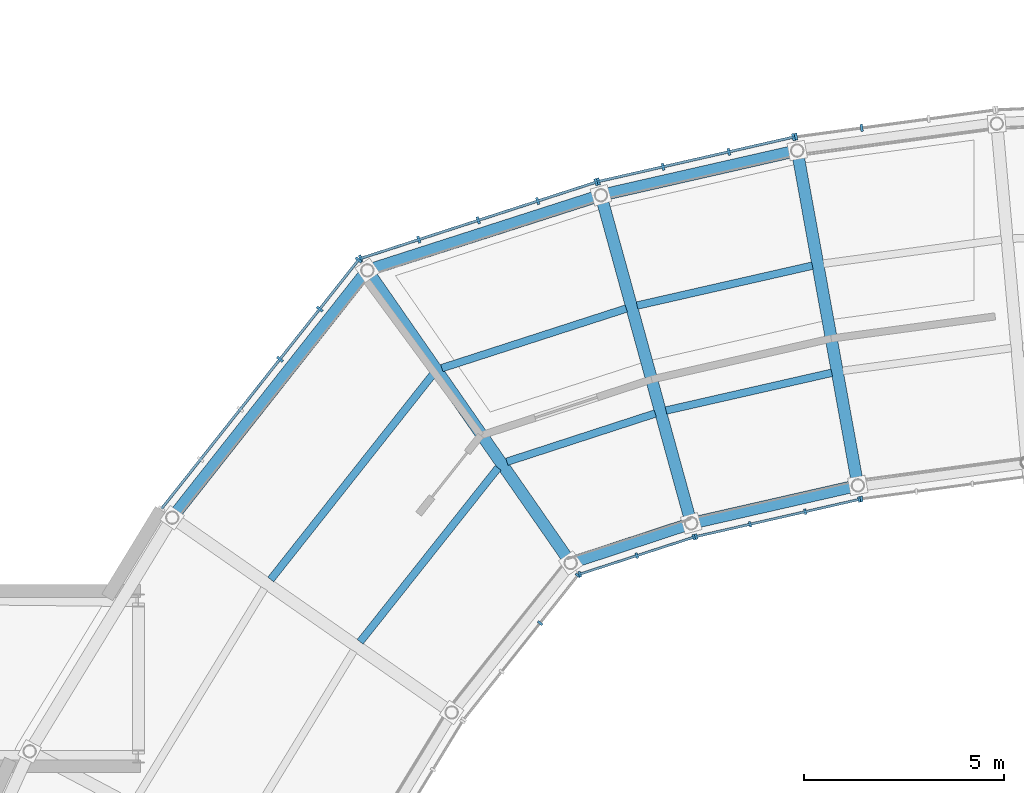
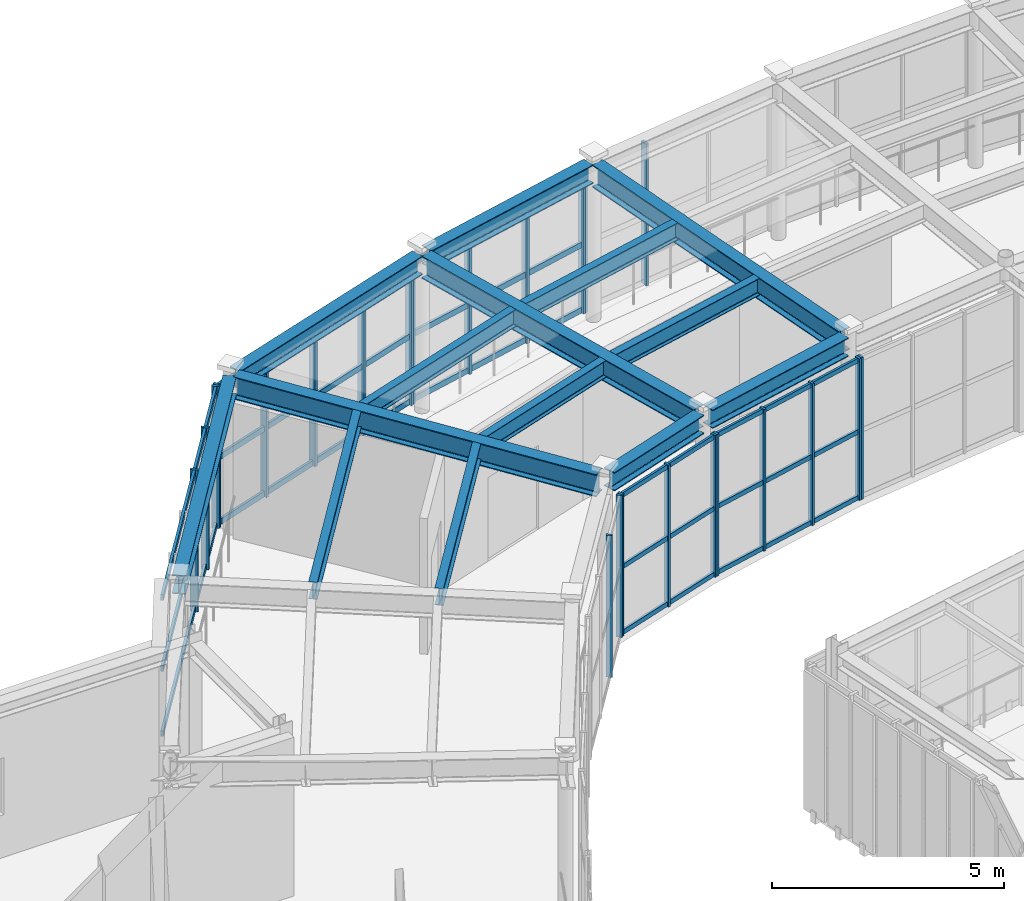
# One storey, part 43 of 103: 39 members, 14 beams, 8 elements without a shape of their own.
"""IFC4 building model written with IfcOpenShell, lengths in metres."""

from ifc_helpers import new_model, si_unit, direction, frame, origin, origin_2d, place, context, subcontext, project, spatial, rectangle, i_section, extrude, material, material_profile, profile_set, type_object, element, aggregate, save


model = new_model("IFC4")

# Units and contexts
model_context = context("Model", 3, precision=1e-05, world=origin(), true_north=direction((0.0, 1.0)))
body_context = subcontext(model_context, "Body", "Model", "MODEL_VIEW")
ifc_project = project(units=[si_unit("LENGTHUNIT", "METRE"), si_unit("AREAUNIT", "SQUARE_METRE"), si_unit("VOLUMEUNIT", "CUBIC_METRE"), si_unit("PLANEANGLEUNIT", "RADIAN"), si_unit("MASSUNIT", "GRAM", prefix="KILO")], contexts=[model_context])

# Site, building, storey
site_placement = place(None, origin())
site = spatial("IfcSite", under=ifc_project, at=site_placement, CompositionType="ELEMENT")
building_placement = place(site_placement, origin())
building = spatial("IfcBuilding", under=site, at=building_placement, Name="Varnklinge Art Gallery", CompositionType="ELEMENT")
storey_placement = place(building_placement, frame((0.0, 0.0, 5.10009765625)))
storey = spatial("IfcBuildingStorey", under=building, at=storey_placement, Name="L01", CompositionType="ELEMENT", Elevation=5.10009765625)

# Beams
ifc_material_1 = material(Name="Steel S355", Category="steel")
ifc_material_profile_1 = material_profile(ifc_material_1, i_section(OverallWidth=0.300048828125, OverallDepth=0.590087890625, WebThickness=0.012939453125, FlangeThickness=0.02490234375, FilletRadius=0.027099609375, at=origin_2d()), Name="HEA 600")
ifc_profile_set_1 = profile_set([ifc_material_profile_1], Name="Steel S355")
beam_type_1 = type_object("IfcBeamType", Name="BM-06", PredefinedType="BEAM", material=ifc_profile_set_1)
for number, where, z_axis, x_axis, name in (
    (1, (65.504638671875, 96.21728515625, 3.885009765625), (0.178151776958, -0.984003020507, 0.0), (0.984003020507, 0.178151776958, 0.0), "L01 BM-06 BM-V2-L02-R19"),
    (2, (60.607421875, 95.102294921875, 3.885009765625), (0.26537851046, -0.96414430776, 0.0), (0.96414430776, 0.26537851046, 0.0), "L01 BM-06 BM-V2-L02-R20"),
):
    element("IfcBeam", number, at=place(storey_placement, frame(where, z_axis=z_axis, x_axis=x_axis)), inside=storey, type_object=beam_type_1, Name=name, PredefinedType="BEAM", context=body_context, shape_type="SweptSolid", body=[
        extrude(i_section(OverallWidth=0.300048828125, OverallDepth=0.590087890625, WebThickness=0.012939453125, FlangeThickness=0.02490234375, FilletRadius=0.027099609375, at=origin_2d()), origin(), (0.0, 0.0, 1.0), 8.229248046875),
    ])
beam_1_placement = place(storey_placement, frame((54.80908203125, 93.244873046875, 3.885009765625), z_axis=(0.570588727281, -0.821235961402, 0.0), x_axis=(0.821235961402, 0.570588727281, 0.0)))
element("IfcBeam", 3, at=beam_1_placement, inside=storey, type_object=beam_type_1, Name="L01 BM-06 BM-V2-L02-R21", PredefinedType="BEAM", context=body_context, shape_type="SweptSolid", body=[
    extrude(i_section(OverallWidth=0.300048828125, OverallDepth=0.590087890625, WebThickness=0.012939453125, FlangeThickness=0.02490234375, FilletRadius=0.027099609375, at=origin_2d()), origin(), (0.0, 0.0, 1.0), 8.6318359375),
])
ifc_material_2 = material(Name="Steel S355", Category="steel")
ifc_material_profile_2 = material_profile(ifc_material_2, i_section(OverallWidth=0.18994140625, OverallDepth=0.449951171875, WebThickness=0.009521484375, FlangeThickness=0.0146484375, FilletRadius=0.02099609375, at=origin_2d()), Name="IPE 450")
ifc_profile_set_2 = profile_set([ifc_material_profile_2], Name="Steel S355")
beam_type_2 = type_object("IfcBeamType", Name="JST-04", PredefinedType="JOIST", material=ifc_profile_set_2)
beam_2_placement = place(storey_placement, frame((65.858642578125, 93.47705078125, 3.954833984375), z_axis=(-0.975052249235, -0.22197547446, 0.0), x_axis=(0.22197547446, -0.975052249235, 0.0)))
element("IfcBeam", 4, at=beam_2_placement, inside=storey, type_object=beam_type_2, Name="L01 JST-04 JST-V2-L02-19-1", PredefinedType="JOIST", context=body_context, shape_type="SweptSolid", body=[
    extrude(i_section(OverallWidth=0.18994140625, OverallDepth=0.449951171875, WebThickness=0.009521484375, FlangeThickness=0.0146484375, FilletRadius=0.02099609375, at=origin_2d()), origin(), (0.0, 0.0, 1.0), 4.49609375),
])
beam_3_placement = place(storey_placement, frame((66.34375, 90.797607421875, 3.954833984375), z_axis=(-0.975058358995, -0.221948634943, 0.0), x_axis=(0.221948634943, -0.975058358995, 0.0)))
element("IfcBeam", 5, at=beam_3_placement, inside=storey, type_object=beam_type_2, Name="L01 JST-04 JST-V2-L02-19-2", PredefinedType="JOIST", context=body_context, shape_type="SweptSolid", body=[
    extrude(i_section(OverallWidth=0.18994140625, OverallDepth=0.449951171875, WebThickness=0.009521484375, FlangeThickness=0.0146484375, FilletRadius=0.02099609375, at=origin_2d()), origin(), (0.0, 0.0, 1.0), 4.25244140625),
])
beam_4_placement = place(storey_placement, frame((61.204833984375, 92.40478515625, 3.954833984375), z_axis=(-0.951573262441, -0.307422065259, 0.0), x_axis=(0.307422065259, -0.951573262441, 0.0)))
element("IfcBeam", 6, at=beam_4_placement, inside=storey, type_object=beam_type_2, Name="L01 JST-04 JST-V2-L02-20-1", PredefinedType="JOIST", context=body_context, shape_type="SweptSolid", body=[
    extrude(i_section(OverallWidth=0.18994140625, OverallDepth=0.449951171875, WebThickness=0.009521484375, FlangeThickness=0.0146484375, FilletRadius=0.02099609375, at=origin_2d()), origin(), (0.0, 0.0, 1.0), 4.848388671875),
])
beam_5_placement = place(storey_placement, frame((61.927490234375, 89.779296875, 3.954833984375), z_axis=(-0.950949393045, -0.309346491603, 0.0), x_axis=(0.309346491603, -0.950949393045, 0.0)))
element("IfcBeam", 7, at=beam_5_placement, inside=storey, type_object=beam_type_2, Name="L01 JST-04 JST-V2-L02-20-2", PredefinedType="JOIST", context=body_context, shape_type="SweptSolid", body=[
    extrude(i_section(OverallWidth=0.18994140625, OverallDepth=0.449951171875, WebThickness=0.009521484375, FlangeThickness=0.0146484375, FilletRadius=0.02099609375, at=origin_2d()), origin(), (0.0, 0.0, 1.0), 3.900390625),
])
beam_6_placement = place(storey_placement, frame((56.37109375, 90.76171875, 3.954833984375), z_axis=(-0.620207823033, -0.784437541331, 0.0), x_axis=(0.784437541331, -0.620207823033, 0.0)))
element("IfcBeam", 8, at=beam_6_placement, inside=storey, type_object=beam_type_2, Name="L01 JST-04 JST-V2-L02-21-1", PredefinedType="JOIST", context=body_context, shape_type="SweptSolid", body=[
    extrude(i_section(OverallWidth=0.18994140625, OverallDepth=0.449951171875, WebThickness=0.009521484375, FlangeThickness=0.0146484375, FilletRadius=0.02099609375, at=origin_2d()), origin(), (0.0, 0.0, 1.0), 6.5439453125),
])
beam_7_placement = place(storey_placement, frame((57.998291015625, 88.419677734375, 3.954833984375), z_axis=(-0.621380748712, -0.783508752427, 0.0), x_axis=(0.783508752427, -0.621380748712, 0.0)))
element("IfcBeam", 9, at=beam_7_placement, inside=storey, type_object=beam_type_2, Name="L01 JST-04 JST-V2-L02-21-2", PredefinedType="JOIST", context=body_context, shape_type="SweptSolid", body=[
    extrude(i_section(OverallWidth=0.18994140625, OverallDepth=0.449951171875, WebThickness=0.009521484375, FlangeThickness=0.0146484375, FilletRadius=0.02099609375, at=origin_2d()), origin(), (0.0, 0.0, 1.0), 5.552001953125),
])

# Curtain wall, members
ifc_material_3 = material(Name="Anodised Aluminium", Category="aluminium")
curtain_wall_type_1 = type_object("IfcCurtainWallType", Name="CW-R04", PredefinedType="USERDEFINED", material=ifc_material_3)
curtain_wall_1_placement = place(storey_placement, origin())
curtain_wall_1 = element("IfcCurtainWall", 10, at=curtain_wall_1_placement, inside=storey, type_object=curtain_wall_type_1, Name="L01 Curtain Wall CW-V2O-L01-18", ObjectType="UNITISED CURTAIN WALL", PredefinedType="USERDEFINED")
ifc_material_4 = material(Name="Anodised Aluminium", Category="aluminium")
ifc_material_profile_3 = material_profile(ifc_material_4, rectangle(XDim=0.06494140625, YDim=0.179931640625, at=origin_2d()), Name="ALU 65x180")
ifc_profile_set_3 = profile_set([ifc_material_profile_3], Name="Anodised Aluminium")
member_type_1 = type_object("IfcMemberType", Name="MUL-01", PredefinedType="MULLION", material=ifc_profile_set_3)
member_1_placement = place(storey_placement, frame((67.091064453125, 96.925537109375, 0.0), z_axis=(0.0, 0.0, 1.0), x_axis=(-0.990983199715, -0.133986185418, 0.0)))
member_1 = element("IfcMember", 11, at=member_1_placement, type_object=member_type_1, Name="CW-V2O-L01-18 Mullion 3", PredefinedType="MULLION", context=body_context, shape_type="SweptSolid", body=[
    extrude(rectangle(XDim=0.06494140625, YDim=0.179931640625, at=origin_2d()), origin(), (0.0, 0.0, 1.0), 3.72998046875),
])
member_2_placement = place(storey_placement, frame((65.44970703125, 96.703857421875, 0.0), z_axis=(0.0, 0.0, 1.0), x_axis=(-0.990983199715, -0.133986185418, 0.0)))
member_2 = element("IfcMember", 12, at=member_2_placement, type_object=member_type_1, Name="CW-V2O-L01-18 Mullion 4", PredefinedType="MULLION", context=body_context, shape_type="SweptSolid", body=[
    extrude(rectangle(XDim=0.06494140625, YDim=0.179931640625, at=origin_2d()), origin(), (0.0, 0.0, 1.0), 3.72998046875),
])
aggregate(curtain_wall_1, [member_1, member_2])

curtain_wall_2_placement = place(storey_placement, origin())
curtain_wall_2 = element("IfcCurtainWall", 13, at=curtain_wall_2_placement, inside=storey, type_object=curtain_wall_type_1, Name="L01 Curtain Wall CW-V2O-L01-19", ObjectType="UNITISED CURTAIN WALL", PredefinedType="USERDEFINED")
member_3_placement = place(storey_placement, frame((65.3857421875, 96.692138671875, 0.0), z_axis=(0.0, 0.0, 1.0), x_axis=(-0.975071959883, -0.221888875454, 0.0)))
member_3 = element("IfcMember", 14, at=member_3_placement, type_object=member_type_1, Name="CW-V2O-L01-19 Mullion 1", PredefinedType="MULLION", context=body_context, shape_type="SweptSolid", body=[
    extrude(rectangle(XDim=0.06494140625, YDim=0.179931640625, at=origin_2d()), origin(), (0.0, 0.0, 1.0), 3.72998046875),
])
member_4_placement = place(storey_placement, frame((63.770751953125, 96.324462890625, 0.0), z_axis=(0.0, 0.0, 1.0), x_axis=(-0.975071959883, -0.221888875454, 0.0)))
member_4 = element("IfcMember", 15, at=member_4_placement, type_object=member_type_1, Name="CW-V2O-L01-19 Mullion 2", PredefinedType="MULLION", context=body_context, shape_type="SweptSolid", body=[
    extrude(rectangle(XDim=0.06494140625, YDim=0.179931640625, at=origin_2d()), origin(), (0.0, 0.0, 1.0), 3.72998046875),
])
member_5_placement = place(storey_placement, frame((62.1240234375, 95.94970703125, 0.0), z_axis=(0.0, 0.0, 1.0), x_axis=(-0.975071959883, -0.221888875454, 0.0)))
member_5 = element("IfcMember", 16, at=member_5_placement, type_object=member_type_1, Name="CW-V2O-L01-19 Mullion 3", PredefinedType="MULLION", context=body_context, shape_type="SweptSolid", body=[
    extrude(rectangle(XDim=0.06494140625, YDim=0.179931640625, at=origin_2d()), origin(), (0.0, 0.0, 1.0), 3.72998046875),
])
member_6_placement = place(storey_placement, frame((60.509033203125, 95.58203125, 0.0), z_axis=(0.0, 0.0, 1.0), x_axis=(-0.975071959883, -0.221888875454, 0.0)))
member_6 = element("IfcMember", 17, at=member_6_placement, type_object=member_type_1, Name="CW-V2O-L01-19 Mullion 4", PredefinedType="MULLION", context=body_context, shape_type="SweptSolid", body=[
    extrude(rectangle(XDim=0.06494140625, YDim=0.179931640625, at=origin_2d()), origin(), (0.0, 0.0, 1.0), 3.72998046875),
])

ifc_material_5 = material(Name="Anodised Aluminium", Category="aluminium")
curtain_wall_type_2 = type_object("IfcCurtainWallType", Name="CW-R02", PredefinedType="USERDEFINED", material=ifc_material_5)
curtain_wall_3_placement = place(storey_placement, origin())
curtain_wall_3 = element("IfcCurtainWall", 18, at=curtain_wall_3_placement, inside=storey, type_object=curtain_wall_type_2, Name="L01 Curtain Wall CW-V2O-L01-20", ObjectType="UNITISED CURTAIN WALL", PredefinedType="USERDEFINED")
member_7_placement = place(storey_placement, frame((60.446533203125, 95.564697265625, 0.0), z_axis=(0.0, 0.0, 1.0), x_axis=(-0.951272019071, -0.30835295642, 0.0)))
member_7 = element("IfcMember", 19, at=member_7_placement, type_object=member_type_1, Name="CW-V2O-L01-20 Mullion 1", PredefinedType="MULLION", context=body_context, shape_type="SweptSolid", body=[
    extrude(rectangle(XDim=0.06494140625, YDim=0.179931640625, at=origin_2d()), origin(), (0.0, 0.0, 1.0), 3.72998046875),
])
member_8_placement = place(storey_placement, frame((58.990478515625, 95.093017578125, 0.0), z_axis=(0.0, 0.0, 1.0), x_axis=(-0.951272019071, -0.30835295642, 0.0)))
member_8 = element("IfcMember", 20, at=member_8_placement, type_object=member_type_1, Name="CW-V2O-L01-20 Mullion 2", PredefinedType="MULLION", context=body_context, shape_type="SweptSolid", body=[
    extrude(rectangle(XDim=0.06494140625, YDim=0.179931640625, at=origin_2d()), origin(), (0.0, 0.0, 1.0), 3.72998046875),
])
member_9_placement = place(storey_placement, frame((57.50341796875, 94.611083984375, 0.0), z_axis=(0.0, 0.0, 1.0), x_axis=(-0.951272019071, -0.30835295642, 0.0)))
member_9 = element("IfcMember", 21, at=member_9_placement, type_object=member_type_1, Name="CW-V2O-L01-20 Mullion 3", PredefinedType="MULLION", context=body_context, shape_type="SweptSolid", body=[
    extrude(rectangle(XDim=0.06494140625, YDim=0.179931640625, at=origin_2d()), origin(), (0.0, 0.0, 1.0), 3.72998046875),
])
member_10_placement = place(storey_placement, frame((56.016357421875, 94.129150390625, 0.0), z_axis=(0.0, 0.0, 1.0), x_axis=(-0.951272019071, -0.30835295642, 0.0)))
member_10 = element("IfcMember", 22, at=member_10_placement, type_object=member_type_1, Name="CW-V2O-L01-20 Mullion 4", PredefinedType="MULLION", context=body_context, shape_type="SweptSolid", body=[
    extrude(rectangle(XDim=0.06494140625, YDim=0.179931640625, at=origin_2d()), origin(), (0.0, 0.0, 1.0), 3.72998046875),
])
member_11_placement = place(storey_placement, frame((54.560302734375, 93.6572265625, 0.0), z_axis=(0.0, 0.0, 1.0), x_axis=(-0.951272019071, -0.30835295642, 0.0)))
member_11 = element("IfcMember", 23, at=member_11_placement, type_object=member_type_1, Name="CW-V2O-L01-20 Mullion 5", PredefinedType="MULLION", context=body_context, shape_type="SweptSolid", body=[
    extrude(rectangle(XDim=0.06494140625, YDim=0.179931640625, at=origin_2d()), origin(), (0.0, 0.0, 1.0), 3.72998046875),
])

curtain_wall_4_placement = place(storey_placement, origin())
curtain_wall_4 = element("IfcCurtainWall", 24, at=curtain_wall_4_placement, inside=storey, type_object=curtain_wall_type_2, Name="L01 Curtain Wall CW-V2O-L01-21", ObjectType="UNITISED CURTAIN WALL", PredefinedType="USERDEFINED")
member_12_placement = place(storey_placement, frame((54.50927734375, 93.62158203125, 0.0), z_axis=(0.0, 0.0, 1.0), x_axis=(-0.620737354217, -0.784018582101, 0.0)))
member_12 = element("IfcMember", 25, at=member_12_placement, type_object=member_type_1, Name="CW-V2O-L01-21 Mullion 1", PredefinedType="MULLION", context=body_context, shape_type="SweptSolid", body=[
    extrude(rectangle(XDim=0.06494140625, YDim=0.179931640625, at=origin_2d()), origin(), (0.0, 0.0, 1.0), 3.72998046875),
])
member_13_placement = place(storey_placement, frame((53.5361328125, 92.392822265625, 0.0), z_axis=(0.0, 0.0, 1.0), x_axis=(-0.620737354217, -0.784018582101, 0.0)))
member_13 = element("IfcMember", 26, at=member_13_placement, type_object=member_type_1, Name="CW-V2O-L01-21 Mullion 2", PredefinedType="MULLION", context=body_context, shape_type="SweptSolid", body=[
    extrude(rectangle(XDim=0.06494140625, YDim=0.179931640625, at=origin_2d()), origin(), (0.0, 0.0, 1.0), 3.72998046875),
])
member_14_placement = place(storey_placement, frame((52.542724609375, 91.13818359375, 0.0), z_axis=(0.0, 0.0, 1.0), x_axis=(-0.620737354217, -0.784018582101, 0.0)))
member_14 = element("IfcMember", 27, at=member_14_placement, type_object=member_type_1, Name="CW-V2O-L01-21 Mullion 3", PredefinedType="MULLION", context=body_context, shape_type="SweptSolid", body=[
    extrude(rectangle(XDim=0.06494140625, YDim=0.179931640625, at=origin_2d()), origin(), (0.0, 0.0, 1.0), 3.72998046875),
])

# Curtain wall, member
curtain_wall_5_placement = place(storey_placement, origin())
curtain_wall_5 = element("IfcCurtainWall", 28, at=curtain_wall_5_placement, inside=storey, type_object=curtain_wall_type_1, Name="L01 Curtain Wall CW-V2I-L01-18", ObjectType="UNITISED CURTAIN WALL", PredefinedType="USERDEFINED")
ifc_material_6 = material(Name="Anodised Aluminium", Category="aluminium")
ifc_material_profile_4 = material_profile(ifc_material_6, rectangle(XDim=0.06005859375, YDim=0.139892578125, at=origin_2d()), Name="ALU 60x140")
ifc_profile_set_4 = profile_set([ifc_material_profile_4], Name="Anodised Aluminium")
member_type_2 = type_object("IfcMemberType", Name="MUL-03", PredefinedType="MULLION", material=ifc_profile_set_4)
member_15_placement = place(storey_placement, frame((67.087646484375, 87.641357421875, 0.0), z_axis=(0.0, 0.0, 1.0), x_axis=(0.990983199715, 0.133986185418, 0.0)))
member_15 = element("IfcMember", 29, at=member_15_placement, type_object=member_type_2, Name="CW-V2I-L01-18 Mullion 1", PredefinedType="MULLION", context=body_context, shape_type="SweptSolid", body=[
    extrude(rectangle(XDim=0.06005859375, YDim=0.139892578125, at=origin_2d()), origin(), (0.0, 0.0, 1.0), 3.72998046875),
])
aggregate(curtain_wall_5, [member_15])

# Curtain wall, members
curtain_wall_6_placement = place(storey_placement, origin())
curtain_wall_6 = element("IfcCurtainWall", 30, at=curtain_wall_6_placement, inside=storey, type_object=curtain_wall_type_1, Name="L01 Curtain Wall CW-V2I-L01-19", ObjectType="UNITISED CURTAIN WALL", PredefinedType="USERDEFINED")
member_16_placement = place(storey_placement, frame((62.95068359375, 86.702392578125, 0.0), z_axis=(0.0, 0.0, 1.0), x_axis=(0.975071959883, 0.221888875454, 0.0)))
member_16 = element("IfcMember", 31, at=member_16_placement, type_object=member_type_2, Name="CW-V2I-L01-19 Mullion 1", PredefinedType="MULLION", context=body_context, shape_type="SweptSolid", body=[
    extrude(rectangle(XDim=0.06005859375, YDim=0.139892578125, at=origin_2d()), origin(), (0.0, 0.0, 1.0), 3.72998046875),
])
member_17_placement = place(storey_placement, frame((64.30029296875, 87.009765625, 0.0), z_axis=(0.0, 0.0, 1.0), x_axis=(0.975071959883, 0.221888875454, 0.0)))
member_17 = element("IfcMember", 32, at=member_17_placement, type_object=member_type_2, Name="CW-V2I-L01-19 Mullion 2", PredefinedType="MULLION", context=body_context, shape_type="SweptSolid", body=[
    extrude(rectangle(XDim=0.06005859375, YDim=0.139892578125, at=origin_2d()), origin(), (0.0, 0.0, 1.0), 3.72998046875),
])
member_18_placement = place(storey_placement, frame((65.67919921875, 87.323486328125, 0.0), z_axis=(0.0, 0.0, 1.0), x_axis=(0.975071959883, 0.221888875454, 0.0)))
member_18 = element("IfcMember", 33, at=member_18_placement, type_object=member_type_2, Name="CW-V2I-L01-19 Mullion 3", PredefinedType="MULLION", context=body_context, shape_type="SweptSolid", body=[
    extrude(rectangle(XDim=0.06005859375, YDim=0.139892578125, at=origin_2d()), origin(), (0.0, 0.0, 1.0), 3.72998046875),
])
member_19_placement = place(storey_placement, frame((67.028564453125, 87.630615234375, 0.0), z_axis=(0.0, 0.0, 1.0), x_axis=(0.975071959883, 0.221888875454, 0.0)))
member_19 = element("IfcMember", 34, at=member_19_placement, type_object=member_type_2, Name="CW-V2I-L01-19 Mullion 4", PredefinedType="MULLION", context=body_context, shape_type="SweptSolid", body=[
    extrude(rectangle(XDim=0.06005859375, YDim=0.139892578125, at=origin_2d()), origin(), (0.0, 0.0, 1.0), 3.72998046875),
])

curtain_wall_7_placement = place(storey_placement, origin())
curtain_wall_7 = element("IfcCurtainWall", 35, at=curtain_wall_7_placement, inside=storey, type_object=curtain_wall_type_1, Name="L01 Curtain Wall CW-V2I-L01-20", ObjectType="UNITISED CURTAIN WALL", PredefinedType="USERDEFINED")
member_20_placement = place(storey_placement, frame((60.04248046875, 85.7626953125, 0.0), z_axis=(0.0, 0.0, 1.0), x_axis=(0.951272019071, 0.30835295642, 0.0)))
member_20 = element("IfcMember", 36, at=member_20_placement, type_object=member_type_2, Name="CW-V2I-L01-20 Mullion 1", PredefinedType="MULLION", context=body_context, shape_type="SweptSolid", body=[
    extrude(rectangle(XDim=0.06005859375, YDim=0.139892578125, at=origin_2d()), origin(), (0.0, 0.0, 1.0), 3.72998046875),
])
member_21_placement = place(storey_placement, frame((61.4677734375, 86.224609375, 0.0), z_axis=(0.0, 0.0, 1.0), x_axis=(0.951272019071, 0.30835295642, 0.0)))
member_21 = element("IfcMember", 37, at=member_21_placement, type_object=member_type_2, Name="CW-V2I-L01-20 Mullion 2", PredefinedType="MULLION", context=body_context, shape_type="SweptSolid", body=[
    extrude(rectangle(XDim=0.06005859375, YDim=0.139892578125, at=origin_2d()), origin(), (0.0, 0.0, 1.0), 3.72998046875),
])
member_22_placement = place(storey_placement, frame((62.892822265625, 86.6865234375, 0.0), z_axis=(0.0, 0.0, 1.0), x_axis=(0.951272019071, 0.30835295642, 0.0)))
member_22 = element("IfcMember", 38, at=member_22_placement, type_object=member_type_2, Name="CW-V2I-L01-20 Mullion 3", PredefinedType="MULLION", context=body_context, shape_type="SweptSolid", body=[
    extrude(rectangle(XDim=0.06005859375, YDim=0.139892578125, at=origin_2d()), origin(), (0.0, 0.0, 1.0), 3.72998046875),
])

curtain_wall_8_placement = place(storey_placement, origin())
curtain_wall_8 = element("IfcCurtainWall", 39, at=curtain_wall_8_placement, inside=storey, type_object=curtain_wall_type_1, Name="L01 Curtain Wall CW-V2I-L01-21", ObjectType="UNITISED CURTAIN WALL", PredefinedType="USERDEFINED")
member_23_placement = place(storey_placement, frame((59.05078125, 84.536865234375, 0.0), z_axis=(0.0, 0.0, 1.0), x_axis=(0.620737354217, 0.784018582101, 0.0)))
member_23 = element("IfcMember", 40, at=member_23_placement, type_object=member_type_2, Name="CW-V2I-L01-21 Mullion 3", PredefinedType="MULLION", context=body_context, shape_type="SweptSolid", body=[
    extrude(rectangle(XDim=0.06005859375, YDim=0.139892578125, at=origin_2d()), origin(), (0.0, 0.0, 1.0), 3.72998046875),
])
member_24_placement = place(storey_placement, frame((59.995361328125, 85.72998046875, 0.0), z_axis=(0.0, 0.0, 1.0), x_axis=(0.620737354217, 0.784018582101, 0.0)))
member_24 = element("IfcMember", 41, at=member_24_placement, type_object=member_type_2, Name="CW-V2I-L01-21 Mullion 4", PredefinedType="MULLION", context=body_context, shape_type="SweptSolid", body=[
    extrude(rectangle(XDim=0.06005859375, YDim=0.139892578125, at=origin_2d()), origin(), (0.0, 0.0, 1.0), 3.72998046875),
])
aggregate(curtain_wall_8, [member_23, member_24])

# Beams
ifc_material_7 = material(Name="Steel S355", Category="steel")
ifc_material_profile_5 = material_profile(ifc_material_7, i_section(OverallWidth=0.300048828125, OverallDepth=0.489990234375, WebThickness=0.011962890625, FlangeThickness=0.02294921875, FilletRadius=0.027099609375, at=origin_2d()), Name="HEA 500")
ifc_profile_set_5 = profile_set([ifc_material_profile_5], Name="Steel S355")
beam_type_3 = type_object("IfcBeamType", Name="SPB-01", PredefinedType="SPANDREL", material=ifc_profile_set_5)
beam_8_placement = place(storey_placement, frame((65.34326171875, 96.323974609375, 3.934814453125), z_axis=(-0.975056640979, -0.221956182347, 0.0), x_axis=(0.221956182347, -0.975056640979, 0.0)))
element("IfcBeam", 42, at=beam_8_placement, inside=storey, type_object=beam_type_3, Name="L01 SPB-01 BM-V2-L02-O19", PredefinedType="SPANDREL", context=body_context, shape_type="SweptSolid", body=[
    extrude(i_section(OverallWidth=0.300048828125, OverallDepth=0.489990234375, WebThickness=0.011962890625, FlangeThickness=0.02294921875, FilletRadius=0.027099609375, at=origin_2d()), origin(), (0.0, 0.0, 1.0), 4.755126953125),
])
beam_9_placement = place(storey_placement, frame((66.859130859375, 87.95068359375, 3.934814453125), z_axis=(-0.975053526144, -0.221969865419, 0.0), x_axis=(0.221969865419, -0.975053526144, 0.0)))
element("IfcBeam", 43, at=beam_9_placement, inside=storey, type_object=beam_type_3, Name="L01 SPB-01 BM-V2-L02-I19", PredefinedType="SPANDREL", context=body_context, shape_type="SweptSolid", body=[
    extrude(i_section(OverallWidth=0.300048828125, OverallDepth=0.489990234375, WebThickness=0.011962890625, FlangeThickness=0.02294921875, FilletRadius=0.027099609375, at=origin_2d()), origin(), (0.0, 0.0, 1.0), 3.99365234375),
])
beam_10_placement = place(storey_placement, frame((60.43701171875, 95.194580078125, 3.934814453125), z_axis=(-0.952022487869, -0.306028074843, 0.0), x_axis=(0.306028074843, -0.952022487869, 0.0)))
element("IfcBeam", 44, at=beam_10_placement, inside=storey, type_object=beam_type_3, Name="L01 SPB-01 BM-V2-L02-O20", PredefinedType="SPANDREL", context=body_context, shape_type="SweptSolid", body=[
    extrude(i_section(OverallWidth=0.300048828125, OverallDepth=0.489990234375, WebThickness=0.011962890625, FlangeThickness=0.02294921875, FilletRadius=0.027099609375, at=origin_2d()), origin(), (0.0, 0.0, 1.0), 5.855712890625),
])
beam_11_placement = place(storey_placement, frame((62.695556640625, 86.989501953125, 3.934814453125), z_axis=(-0.94984963517, -0.312707004347, 0.0), x_axis=(0.312707004347, -0.94984963517, 0.0)))
element("IfcBeam", 45, at=beam_11_placement, inside=storey, type_object=beam_type_3, Name="L01 SPB-01 BM-V2-L02-I20", PredefinedType="SPANDREL", context=body_context, shape_type="SweptSolid", body=[
    extrude(i_section(OverallWidth=0.300048828125, OverallDepth=0.489990234375, WebThickness=0.011962890625, FlangeThickness=0.02294921875, FilletRadius=0.027099609375, at=origin_2d()), origin(), (0.0, 0.0, 1.0), 2.893310546875),
])
beam_12_placement = place(storey_placement, frame((54.642333984375, 93.25, 3.934814453125), z_axis=(-0.619327516232, -0.785132745233, 0.0), x_axis=(0.785132745233, -0.619327516232, 0.0)))
element("IfcBeam", 46, at=beam_12_placement, inside=storey, type_object=beam_type_3, Name="L01 SPB-01 BM-V2-L02-O21", PredefinedType="SPANDREL", context=body_context, shape_type="SweptSolid", body=[
    extrude(i_section(OverallWidth=0.300048828125, OverallDepth=0.489990234375, WebThickness=0.011962890625, FlangeThickness=0.02294921875, FilletRadius=0.027099609375, at=origin_2d()), origin(), (0.0, 0.0, 1.0), 7.597900390625),
])

# Member
ifc_material_8 = material(Name="Anodised Aluminium", Category="aluminium")
ifc_material_profile_6 = material_profile(ifc_material_8, rectangle(XDim=0.06494140625, YDim=0.14990234375, at=origin_2d()), Name="ALU 65x150")
ifc_profile_set_6 = profile_set([ifc_material_profile_6], Name="Anodised Aluminium")
member_type_3 = type_object("IfcMemberType", Name="TRN-01", PredefinedType="USERDEFINED", material=ifc_profile_set_6)
member_25_placement = place(storey_placement, frame((65.3857421875, 96.692138671875, 0.074951171875), z_axis=(-0.975056556425, -0.221956553795, 0.0), x_axis=(0.221956553795, -0.975056556425, 0.0)))
member_25 = element("IfcMember", 47, at=member_25_placement, type_object=member_type_3, Name="CW-V2O-L01-19 Transom 1", ObjectType="TRANSOM", PredefinedType="USERDEFINED", context=body_context, shape_type="SweptSolid", body=[
    extrude(rectangle(XDim=0.06494140625, YDim=0.14990234375, at=origin_2d()), origin(), (0.0, 0.0, 1.0), 5.00146484375),
])

member_26_placement = place(storey_placement, frame((65.3857421875, 96.692138671875, 1.790283203125), z_axis=(-0.975056556425, -0.221956553795, 0.0), x_axis=(0.221956553795, -0.975056556425, 0.0)))
member_26 = element("IfcMember", 48, at=member_26_placement, type_object=member_type_3, Name="CW-V2O-L01-19 Transom 2", ObjectType="TRANSOM", PredefinedType="USERDEFINED", context=body_context, shape_type="SweptSolid", body=[
    extrude(rectangle(XDim=0.06494140625, YDim=0.14990234375, at=origin_2d()), origin(), (0.0, 0.0, 1.0), 5.00146484375),
])

member_27_placement = place(storey_placement, frame((65.3857421875, 96.692138671875, 3.65478515625), z_axis=(-0.975056556425, -0.221956553795, 0.0), x_axis=(0.221956553795, -0.975056556425, 0.0)))
member_27 = element("IfcMember", 49, at=member_27_placement, type_object=member_type_3, Name="CW-V2O-L01-19 Transom 3", ObjectType="TRANSOM", PredefinedType="USERDEFINED", context=body_context, shape_type="SweptSolid", body=[
    extrude(rectangle(XDim=0.06494140625, YDim=0.14990234375, at=origin_2d()), origin(), (0.0, 0.0, 1.0), 5.00146484375),
])

aggregate(curtain_wall_2, [member_3, member_4, member_5, member_6, member_25, member_26, member_27])

member_28_placement = place(storey_placement, frame((60.446533203125, 95.564697265625, 0.074951171875), z_axis=(-0.951297583727, -0.308274078045, 0.0), x_axis=(0.308274078045, -0.951297583727, 0.0)))
member_28 = element("IfcMember", 50, at=member_28_placement, type_object=member_type_3, Name="CW-V2O-L01-20 Transom 1", ObjectType="TRANSOM", PredefinedType="USERDEFINED", context=body_context, shape_type="SweptSolid", body=[
    extrude(rectangle(XDim=0.06494140625, YDim=0.14990234375, at=origin_2d()), origin(), (0.0, 0.0, 1.0), 6.1875),
])

member_29_placement = place(storey_placement, frame((60.446533203125, 95.564697265625, 1.790283203125), z_axis=(-0.951297583727, -0.308274078045, 0.0), x_axis=(0.308274078045, -0.951297583727, 0.0)))
member_29 = element("IfcMember", 51, at=member_29_placement, type_object=member_type_3, Name="CW-V2O-L01-20 Transom 2", ObjectType="TRANSOM", PredefinedType="USERDEFINED", context=body_context, shape_type="SweptSolid", body=[
    extrude(rectangle(XDim=0.06494140625, YDim=0.14990234375, at=origin_2d()), origin(), (0.0, 0.0, 1.0), 6.1875),
])

member_30_placement = place(storey_placement, frame((60.446533203125, 95.564697265625, 3.65478515625), z_axis=(-0.951297583727, -0.308274078045, 0.0), x_axis=(0.308274078045, -0.951297583727, 0.0)))
member_30 = element("IfcMember", 52, at=member_30_placement, type_object=member_type_3, Name="CW-V2O-L01-20 Transom 3", ObjectType="TRANSOM", PredefinedType="USERDEFINED", context=body_context, shape_type="SweptSolid", body=[
    extrude(rectangle(XDim=0.06494140625, YDim=0.14990234375, at=origin_2d()), origin(), (0.0, 0.0, 1.0), 6.1875),
])

aggregate(curtain_wall_3, [member_7, member_8, member_9, member_10, member_11, member_28, member_29, member_30])

member_31_placement = place(storey_placement, frame((54.50927734375, 93.62158203125, 0.074951171875), z_axis=(-0.620773865462, -0.783989673376, 0.0), x_axis=(0.783989673376, -0.620773865462, 0.0)))
member_31 = element("IfcMember", 53, at=member_31_placement, type_object=member_type_3, Name="CW-V2O-L01-21 Transom 1", ObjectType="TRANSOM", PredefinedType="USERDEFINED", context=body_context, shape_type="SweptSolid", body=[
    extrude(rectangle(XDim=0.06494140625, YDim=0.14990234375, at=origin_2d()), origin(), (0.0, 0.0, 1.0), 7.935302734375),
])

member_32_placement = place(storey_placement, frame((54.50927734375, 93.62158203125, 1.790283203125), z_axis=(-0.620773865462, -0.783989673376, 0.0), x_axis=(0.783989673376, -0.620773865462, 0.0)))
member_32 = element("IfcMember", 54, at=member_32_placement, type_object=member_type_3, Name="CW-V2O-L01-21 Transom 2", ObjectType="TRANSOM", PredefinedType="USERDEFINED", context=body_context, shape_type="SweptSolid", body=[
    extrude(rectangle(XDim=0.06494140625, YDim=0.14990234375, at=origin_2d()), origin(), (0.0, 0.0, 1.0), 7.935302734375),
])

member_33_placement = place(storey_placement, frame((54.50927734375, 93.62158203125, 3.65478515625), z_axis=(-0.620773865462, -0.783989673376, 0.0), x_axis=(0.783989673376, -0.620773865462, 0.0)))
member_33 = element("IfcMember", 55, at=member_33_placement, type_object=member_type_3, Name="CW-V2O-L01-21 Transom 3", ObjectType="TRANSOM", PredefinedType="USERDEFINED", context=body_context, shape_type="SweptSolid", body=[
    extrude(rectangle(XDim=0.06494140625, YDim=0.14990234375, at=origin_2d()), origin(), (0.0, 0.0, 1.0), 7.935302734375),
])

aggregate(curtain_wall_4, [member_12, member_13, member_14, member_31, member_32, member_33])

ifc_material_9 = material(Name="Anodised Aluminium", Category="aluminium")
ifc_material_profile_7 = material_profile(ifc_material_9, rectangle(XDim=0.06005859375, YDim=0.1201171875, at=origin_2d()), Name="ALU 60x120")
ifc_profile_set_7 = profile_set([ifc_material_profile_7], Name="Anodised Aluminium")
member_type_4 = type_object("IfcMemberType", Name="TRN-02", PredefinedType="USERDEFINED", material=ifc_profile_set_7)
member_34_placement = place(storey_placement, frame((62.95068359375, 86.702392578125, 0.059814453125), z_axis=(0.975058827612, 0.221946576219, 0.0), x_axis=(-0.221946576219, 0.975058827612, 0.0)))
member_34 = element("IfcMember", 56, at=member_34_placement, type_object=member_type_4, Name="CW-V2I-L01-19 Transom 1", ObjectType="TRANSOM", PredefinedType="USERDEFINED", context=body_context, shape_type="SweptSolid", body=[
    extrude(rectangle(XDim=0.06005859375, YDim=0.1201171875, at=origin_2d()), origin(), (0.0, 0.0, 1.0), 4.18212890625),
])

member_35_placement = place(storey_placement, frame((62.95068359375, 86.702392578125, 1.790283203125), z_axis=(0.975058827612, 0.221946576219, 0.0), x_axis=(-0.221946576219, 0.975058827612, 0.0)))
member_35 = element("IfcMember", 57, at=member_35_placement, type_object=member_type_4, Name="CW-V2I-L01-19 Transom 2", ObjectType="TRANSOM", PredefinedType="USERDEFINED", context=body_context, shape_type="SweptSolid", body=[
    extrude(rectangle(XDim=0.06005859375, YDim=0.1201171875, at=origin_2d()), origin(), (0.0, 0.0, 1.0), 4.18212890625),
])

member_36_placement = place(storey_placement, frame((62.95068359375, 86.702392578125, 3.669921875), z_axis=(0.975058827612, 0.221946576219, 0.0), x_axis=(-0.221946576219, 0.975058827612, 0.0)))
member_36 = element("IfcMember", 58, at=member_36_placement, type_object=member_type_4, Name="CW-V2I-L01-19 Transom 3", ObjectType="TRANSOM", PredefinedType="USERDEFINED", context=body_context, shape_type="SweptSolid", body=[
    extrude(rectangle(XDim=0.06005859375, YDim=0.1201171875, at=origin_2d()), origin(), (0.0, 0.0, 1.0), 4.18212890625),
])

aggregate(curtain_wall_6, [member_16, member_17, member_18, member_19, member_34, member_35, member_36])

member_37_placement = place(storey_placement, frame((60.04248046875, 85.7626953125, 0.059814453125), z_axis=(0.9512822555, 0.308321375144, 0.0), x_axis=(-0.308321375144, 0.9512822555, 0.0)))
member_37 = element("IfcMember", 59, at=member_37_placement, type_object=member_type_4, Name="CW-V2I-L01-20 Transom 1", ObjectType="TRANSOM", PredefinedType="USERDEFINED", context=body_context, shape_type="SweptSolid", body=[
    extrude(rectangle(XDim=0.06005859375, YDim=0.1201171875, at=origin_2d()), origin(), (0.0, 0.0, 1.0), 2.996337890625),
])

member_38_placement = place(storey_placement, frame((60.04248046875, 85.7626953125, 1.790283203125), z_axis=(0.9512822555, 0.308321375144, 0.0), x_axis=(-0.308321375144, 0.9512822555, 0.0)))
member_38 = element("IfcMember", 60, at=member_38_placement, type_object=member_type_4, Name="CW-V2I-L01-20 Transom 2", ObjectType="TRANSOM", PredefinedType="USERDEFINED", context=body_context, shape_type="SweptSolid", body=[
    extrude(rectangle(XDim=0.06005859375, YDim=0.1201171875, at=origin_2d()), origin(), (0.0, 0.0, 1.0), 2.996337890625),
])

member_39_placement = place(storey_placement, frame((60.04248046875, 85.7626953125, 3.669921875), z_axis=(0.9512822555, 0.308321375144, 0.0), x_axis=(-0.308321375144, 0.9512822555, 0.0)))
member_39 = element("IfcMember", 61, at=member_39_placement, type_object=member_type_4, Name="CW-V2I-L01-20 Transom 3", ObjectType="TRANSOM", PredefinedType="USERDEFINED", context=body_context, shape_type="SweptSolid", body=[
    extrude(rectangle(XDim=0.06005859375, YDim=0.1201171875, at=origin_2d()), origin(), (0.0, 0.0, 1.0), 2.996337890625),
])

aggregate(curtain_wall_7, [member_20, member_21, member_22, member_37, member_38, member_39])

save(model, "model.ifc")
